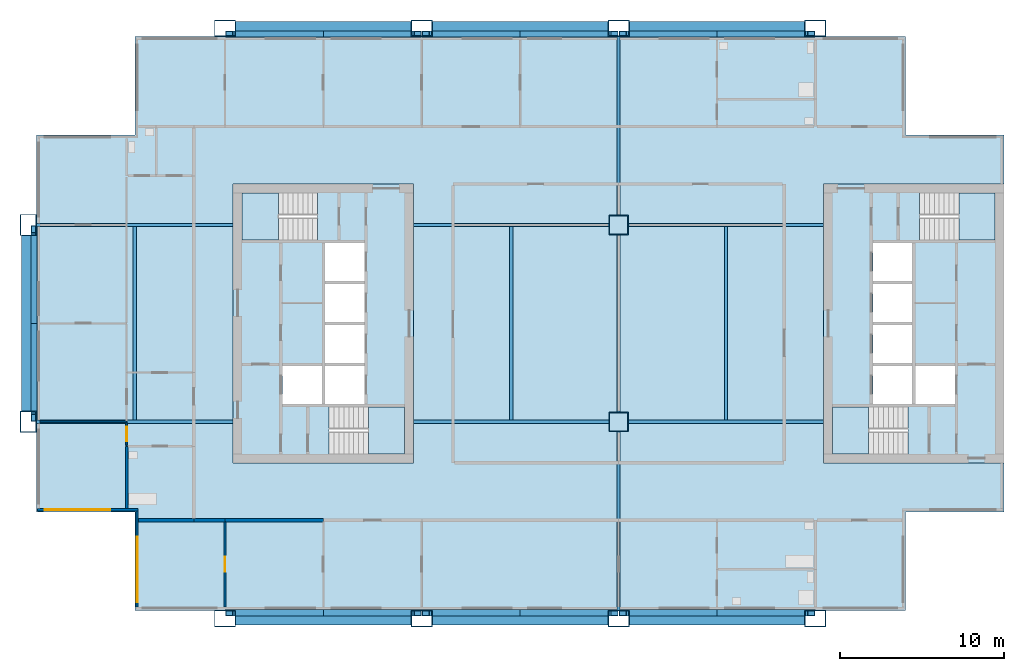
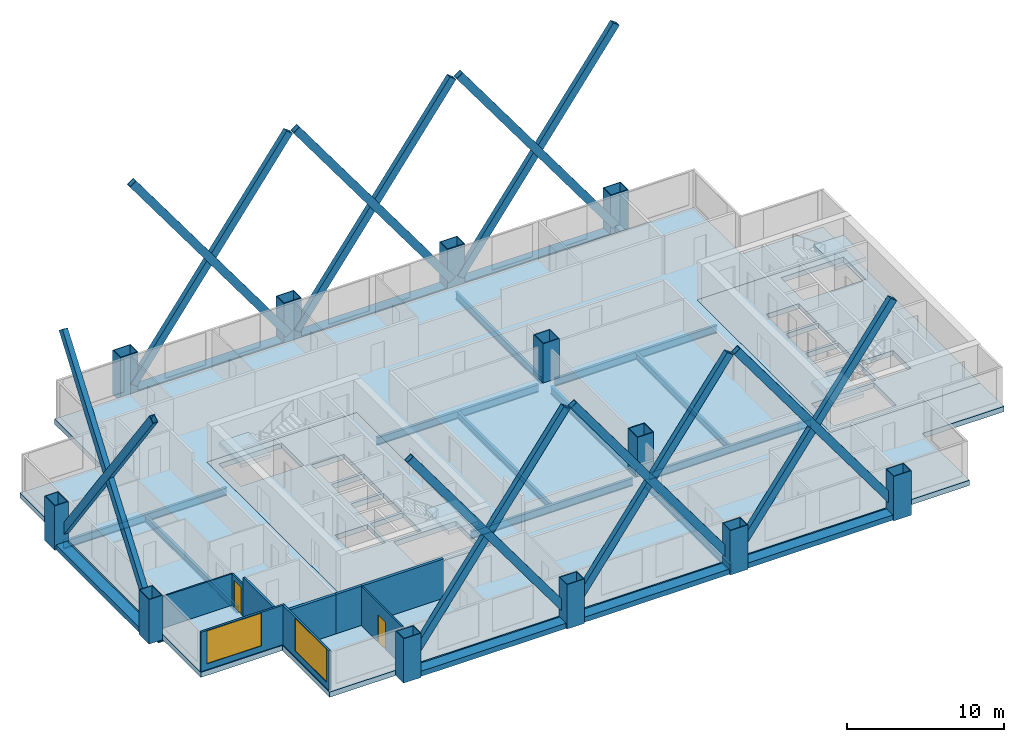
# One storey, part 1 of 8: 19 beams, 14 members, 12 columns, 9 walls, 7 slabs, 2 doors, 2 windows, 4 openings, 4 elements without a shape of their own.
"""IFC4 building model written with IfcOpenShell, lengths in metres."""

from ifc_helpers import new_model, si_unit, direction, frame, frame_2d, origin, origin_2d, place, context, subcontext, project, spatial, polyline, rectangle, hollow_rectangle, i_section, outline, extrude, material, layer, layer_set, material_profile, profile_set, type_object, element, fill, aggregate, save


model = new_model("IFC4")

# Units and contexts
model_context = context("Model", 3, precision=1e-05, world=origin(), true_north=direction((0.0, 1.0)))
body_context = subcontext(model_context, "Body", "Model", "MODEL_VIEW")
ifc_project = project(units=[si_unit("LENGTHUNIT", "METRE"), si_unit("AREAUNIT", "SQUARE_METRE"), si_unit("VOLUMEUNIT", "CUBIC_METRE"), si_unit("PLANEANGLEUNIT", "RADIAN"), si_unit("MASSUNIT", "GRAM", prefix="KILO")], contexts=[model_context])

# Site, building, storey
site_placement = place(None, origin())
site = spatial("IfcSite", under=ifc_project, at=site_placement, CompositionType="ELEMENT")
building_placement = place(site_placement, origin())
building = spatial("IfcBuilding", under=site, at=building_placement, Name="Kitamizu Gate Tower and Museum", CompositionType="ELEMENT")
storey_placement = place(building_placement, frame((0.0, 0.0, 175.5)))
storey = spatial("IfcBuildingStorey", under=building, at=storey_placement, Name="L46", CompositionType="ELEMENT", Elevation=175.5)

# Columns
ifc_material_1 = material(Name="Steel SM490A bronze coated", Category="steel")
ifc_material_profile_1 = material_profile(ifc_material_1, hollow_rectangle(XDim=1.300048828125, YDim=1.0, WallThickness=0.050048828125, at=origin_2d()), Name="BOX 1300x1000x50")
ifc_profile_set_1 = profile_set([ifc_material_profile_1], Name="Steel SM490A bronze coated")
column_type_1 = type_object("IfcColumnType", Name="Exoskeleton column XC6 BOX 1300x1000x50", PredefinedType="COLUMN", material=ifc_profile_set_1)
for number, where, z_axis, x_axis, name in (
    (1, (0.0, 24.0, -0.39990234375), (0.0, 0.0, 1.0), (0.0, 1.0, 0.0), "Column XC6 1C L46"),
    (2, (0.0, 36.0, -0.39990234375), (0.0, 0.0, 1.0), (0.0, 1.0, 0.0), "Column XC6 1D L46"),
    (3, (12.0, 12.0, -0.39990234375), (0.0, 0.0, 1.0), (1.0, 0.0, 0.0), "Column XC6 2B L46"),
    (4, (12.0, 48.0, -0.39990234375), (0.0, 0.0, 1.0), (1.0, 0.0, 0.0), "Column XC6 2E L46"),
    (5, (24.0, 12.0, -0.39990234375), (0.0, 0.0, 1.0), (1.0, 0.0, 0.0), "Column XC6 3B L46"),
    (6, (24.0, 48.0, -0.39990234375), (0.0, 0.0, 1.0), (1.0, 0.0, 0.0), "Column XC6 3E L46"),
    (7, (36.0, 12.0, -0.39990234375), (0.0, 0.0, 1.0), (1.0, 0.0, 0.0), "Column XC6 4B L46"),
    (8, (36.0, 48.0, -0.39990234375), (0.0, 0.0, 1.0), (1.0, 0.0, 0.0), "Column XC6 4E L46"),
    (9, (48.0, 12.0, -0.39990234375), (0.0, 0.0, 1.0), (1.0, 0.0, 0.0), "Column XC6 5B L46"),
    (10, (48.0, 48.0, -0.39990234375), (0.0, 0.0, 1.0), (1.0, 0.0, 0.0), "Column XC6 5E L46"),
):
    element("IfcColumn", number, at=place(storey_placement, frame(where, z_axis=z_axis, x_axis=x_axis)), inside=storey, type_object=column_type_1, Name=name, PredefinedType="COLUMN", context=body_context, shape_type="SweptSolid", body=[
        extrude(hollow_rectangle(XDim=1.300048828125, YDim=1.0, WallThickness=0.050048828125, at=origin_2d()), origin(), (0.0, 0.0, 1.0), 3.449951171875),
    ])
ifc_material_2 = material(Name="Steel SM490A", Category="steel")
ifc_material_profile_2 = material_profile(ifc_material_2, hollow_rectangle(XDim=1.199951171875, YDim=1.199951171875, WallThickness=0.050048828125, at=origin_2d()), Name="BOX 1200x1200x50")
ifc_profile_set_2 = profile_set([ifc_material_profile_2], Name="Steel SM490A")
column_type_2 = type_object("IfcColumnType", Name="Interior column IC4 BOX 1200x1200x50", PredefinedType="COLUMN", material=ifc_profile_set_2)
for number, where, z_axis, x_axis, name in (
    (11, (36.0, 24.0, 0.0), (0.0, 0.0, 1.0), (1.0, 0.0, 0.0), "Column IC4 4C L46"),
    (12, (36.0, 36.0, 0.0), (0.0, 0.0, 1.0), (1.0, 0.0, 0.0), "Column IC4 4D L46"),
):
    element("IfcColumn", number, at=place(storey_placement, frame(where, z_axis=z_axis, x_axis=x_axis)), inside=storey, type_object=column_type_2, Name=name, PredefinedType="COLUMN", context=body_context, shape_type="SweptSolid", body=[
        extrude(hollow_rectangle(XDim=1.199951171875, YDim=1.199951171875, WallThickness=0.050048828125, at=origin_2d()), origin(), (0.0, 0.0, 1.0), 3.050048828125),
    ])

# Members
ifc_material_3 = material(Name="Steel SM490A bronze coated", Category="steel")
ifc_material_profile_3 = material_profile(ifc_material_3, hollow_rectangle(XDim=0.3798828125, YDim=0.56005859375, WallThickness=0.030029296875, at=origin_2d()), Name="BOX 380x560x30")
ifc_profile_set_3 = profile_set([ifc_material_profile_3], Name="Steel SM490A bronze coated")
member_type = type_object("IfcMemberType", Name="Exoskeleton brace XB8 BOX 380x560x30", PredefinedType="BRACE", material=ifc_profile_set_3)
for number, where, z_axis, x_axis, name in (
    (13, (12.300048828125, 12.360107421875, 0.60009765625), (0.590469793655, 0.0, 0.807059739289), (0.0, 1.0, 0.0), "Exoskeleton brace XB8 south 12 L46"),
    (14, (23.699951171875, 12.360107421875, 0.60009765625), (-0.590469793655, 0.0, 0.807059739289), (0.0, -1.0, 0.0), "Exoskeleton brace XB8 south 12 L46"),
    (15, (24.300048828125, 12.360107421875, 0.60009765625), (0.590469793655, 0.0, 0.807059739289), (0.0, 1.0, 0.0), "Exoskeleton brace XB8 south 24 L46"),
    (16, (35.699951171875, 12.360107421875, 0.60009765625), (-0.590469793655, 0.0, 0.807059739289), (0.0, -1.0, 0.0), "Exoskeleton brace XB8 south 24 L46"),
    (17, (36.300048828125, 12.360107421875, 0.60009765625), (0.590469793655, 0.0, 0.807059739289), (0.0, 1.0, 0.0), "Exoskeleton brace XB8 south 36 L46"),
    (18, (47.699951171875, 12.360107421875, 0.60009765625), (-0.590469793655, 0.0, 0.807059739289), (0.0, -1.0, 0.0), "Exoskeleton brace XB8 south 36 L46"),
    (19, (12.300048828125, 47.639892578125, 0.60009765625), (0.590469793655, 0.0, 0.807059739289), (0.0, 1.0, 0.0), "Exoskeleton brace XB8 north 12 L46"),
    (20, (23.699951171875, 47.639892578125, 0.60009765625), (-0.590469793655, 0.0, 0.807059739289), (0.0, -1.0, 0.0), "Exoskeleton brace XB8 north 12 L46"),
    (21, (24.300048828125, 47.639892578125, 0.60009765625), (0.590469793655, 0.0, 0.807059739289), (0.0, 1.0, 0.0), "Exoskeleton brace XB8 north 24 L46"),
    (22, (35.699951171875, 47.639892578125, 0.60009765625), (-0.590469793655, 0.0, 0.807059739289), (0.0, -1.0, 0.0), "Exoskeleton brace XB8 north 24 L46"),
    (23, (36.300048828125, 47.639892578125, 0.60009765625), (0.590469793655, 0.0, 0.807059739289), (0.0, 1.0, 0.0), "Exoskeleton brace XB8 north 36 L46"),
    (24, (47.699951171875, 47.639892578125, 0.60009765625), (-0.590469793655, 0.0, 0.807059739289), (0.0, -1.0, 0.0), "Exoskeleton brace XB8 north 36 L46"),
    (25, (0.360107421875, 24.300048828125, 0.60009765625), (0.0, 0.590469793655, 0.807059739289), (-1.0, 0.0, 0.0), "Exoskeleton brace XB8 west 24 L46"),
    (26, (0.360107421875, 35.699951171875, 0.60009765625), (0.0, -0.590469793655, 0.807059739289), (1.0, 0.0, 0.0), "Exoskeleton brace XB8 west 24 L46"),
):
    element("IfcMember", number, at=place(storey_placement, frame(where, z_axis=z_axis, x_axis=x_axis)), inside=storey, type_object=member_type, Name=name, PredefinedType="BRACE", context=body_context, shape_type="SweptSolid", body=[
        extrude(hollow_rectangle(XDim=0.3798828125, YDim=0.56005859375, WallThickness=0.030029296875, at=origin_2d()), origin(), (0.0, 0.0, 1.0), 19.391357421875),
    ])

# Beams
ifc_material_4 = material(Name="Steel SM490A bronze coated", Category="steel")
ifc_material_profile_4 = material_profile(ifc_material_4, hollow_rectangle(XDim=0.800048828125, YDim=0.39990234375, WallThickness=0.0400390625, at=origin_2d()), Name="BOX 800x400x40")
ifc_profile_set_4 = profile_set([ifc_material_profile_4], Name="Steel SM490A bronze coated")
beam_type_1 = type_object("IfcBeamType", Name="Exoskeleton spandrel beam SB1 BOX 800x400x40", PredefinedType="SPANDREL", material=ifc_profile_set_4)
for number, where, z_axis, x_axis, name in (
    (27, (12.64990234375, 12.0, -0.199951171875), (1.0, 0.0, 0.0), (0.0, 1.0, 0.0), "Exoskeleton spandrel beam south 12 L46"),
    (28, (24.64990234375, 12.0, -0.199951171875), (1.0, 0.0, 0.0), (0.0, 1.0, 0.0), "Exoskeleton spandrel beam south 24 L46"),
    (29, (36.64990234375, 12.0, -0.199951171875), (1.0, 0.0, 0.0), (0.0, 1.0, 0.0), "Exoskeleton spandrel beam south 36 L46"),
    (30, (12.64990234375, 48.0, -0.199951171875), (1.0, 0.0, 0.0), (0.0, 1.0, 0.0), "Exoskeleton spandrel beam north 12 L46"),
    (31, (24.64990234375, 48.0, -0.199951171875), (1.0, 0.0, 0.0), (0.0, 1.0, 0.0), "Exoskeleton spandrel beam north 24 L46"),
    (32, (36.64990234375, 48.0, -0.199951171875), (1.0, 0.0, 0.0), (0.0, 1.0, 0.0), "Exoskeleton spandrel beam north 36 L46"),
    (33, (0.0, 24.64990234375, -0.199951171875), (0.0, 1.0, 0.0), (-1.0, 0.0, 0.0), "Exoskeleton spandrel beam west 24 L46"),
):
    element("IfcBeam", number, at=place(storey_placement, frame(where, z_axis=z_axis, x_axis=x_axis)), inside=storey, type_object=beam_type_1, Name=name, PredefinedType="SPANDREL", context=body_context, shape_type="SweptSolid", body=[
        extrude(hollow_rectangle(XDim=0.800048828125, YDim=0.39990234375, WallThickness=0.0400390625, at=origin_2d()), origin(), (0.0, 0.0, 1.0), 10.7001953125),
    ])
ifc_material_5 = material(Name="Steel SM490A", Category="steel")
ifc_material_profile_5 = material_profile(ifc_material_5, i_section(OverallWidth=0.199951171875, OverallDepth=0.5, WebThickness=0.010009765625, FlangeThickness=0.01611328125, FilletRadius=0.02001953125, at=origin_2d()), Name="H-500x200x10x16")
ifc_profile_set_5 = profile_set([ifc_material_profile_5], Name="Steel SM490A")
beam_type_2 = type_object("IfcBeamType", Name="Floor beam FB1 H 500x200x10x16", PredefinedType="BEAM", material=ifc_profile_set_5)
for number, where, z_axis, x_axis, name in (
    (34, (6.5, 24.10009765625, -0.64990234375), (0.0, 1.0, 0.0), (-1.0, 0.0, 0.0), "Floor beam FB1 L46-1"),
    (35, (29.449951171875, 24.10009765625, -0.64990234375), (0.0, 1.0, 0.0), (-1.0, 0.0, 0.0), "Floor beam FB1 L46-2"),
    (36, (42.550048828125, 24.10009765625, -0.64990234375), (0.0, 1.0, 0.0), (-1.0, 0.0, 0.0), "Floor beam FB1 L46-3"),
):
    element("IfcBeam", number, at=place(storey_placement, frame(where, z_axis=z_axis, x_axis=x_axis)), inside=storey, type_object=beam_type_2, Name=name, PredefinedType="BEAM", context=body_context, shape_type="SweptSolid", body=[
        extrude(i_section(OverallWidth=0.199951171875, OverallDepth=0.5, WebThickness=0.010009765625, FlangeThickness=0.01611328125, FilletRadius=0.02001953125, at=origin_2d()), origin(), (0.0, 0.0, 1.0), 11.7998046875),
    ])
ifc_material_6 = material(Name="Steel SM490A", Category="steel")
ifc_material_profile_6 = material_profile(ifc_material_6, i_section(OverallWidth=0.199951171875, OverallDepth=0.60009765625, WebThickness=0.010986328125, FlangeThickness=0.01708984375, FilletRadius=0.02197265625, at=origin_2d()), Name="H-600x200x11x17")
ifc_profile_set_6 = profile_set([ifc_material_profile_6], Name="Steel SM490A")
beam_type_3 = type_object("IfcBeamType", Name="Floor girder FG1 H 600x200x11x17", PredefinedType="BEAM", material=ifc_profile_set_6)
beam_1_placement = place(storey_placement, frame((36.0, 12.5, -0.699951171875), z_axis=(0.0, 1.0, 0.0), x_axis=(-1.0, 0.0, 0.0)))
element("IfcBeam", 37, at=beam_1_placement, inside=storey, type_object=beam_type_3, Name="Floor girder FG1 x36 L46", PredefinedType="BEAM", context=body_context, shape_type="SweptSolid", body=[
    extrude(i_section(OverallWidth=0.199951171875, OverallDepth=0.60009765625, WebThickness=0.010986328125, FlangeThickness=0.01708984375, FilletRadius=0.02197265625, at=origin_2d()), origin(), (0.0, 0.0, 1.0), 10.89990234375),
])
beam_2_placement = place(storey_placement, frame((36.0, 24.60009765625, -0.699951171875), z_axis=(0.0, 1.0, 0.0), x_axis=(-1.0, 0.0, 0.0)))
element("IfcBeam", 38, at=beam_2_placement, inside=storey, type_object=beam_type_3, Name="Floor girder FG1 x36 L46", PredefinedType="BEAM", context=body_context, shape_type="SweptSolid", body=[
    extrude(i_section(OverallWidth=0.199951171875, OverallDepth=0.60009765625, WebThickness=0.010986328125, FlangeThickness=0.01708984375, FilletRadius=0.02197265625, at=origin_2d()), origin(), (0.0, 0.0, 1.0), 10.7998046875),
])
beam_3_placement = place(storey_placement, frame((36.0, 36.60009765625, -0.699951171875), z_axis=(0.0, 1.0, 0.0), x_axis=(-1.0, 0.0, 0.0)))
element("IfcBeam", 39, at=beam_3_placement, inside=storey, type_object=beam_type_3, Name="Floor girder FG1 x36 L46", PredefinedType="BEAM", context=body_context, shape_type="SweptSolid", body=[
    extrude(i_section(OverallWidth=0.199951171875, OverallDepth=0.60009765625, WebThickness=0.010986328125, FlangeThickness=0.01708984375, FilletRadius=0.02197265625, at=origin_2d()), origin(), (0.0, 0.0, 1.0), 10.89990234375),
])
beam_4_placement = place(storey_placement, frame((0.5, 24.0, -0.699951171875), z_axis=(1.0, 0.0, 0.0), x_axis=(0.0, 1.0, 0.0)))
element("IfcBeam", 40, at=beam_4_placement, inside=storey, type_object=beam_type_3, Name="Floor girder FG1 y24 L46", PredefinedType="BEAM", context=body_context, shape_type="SweptSolid", body=[
    extrude(i_section(OverallWidth=0.199951171875, OverallDepth=0.60009765625, WebThickness=0.010986328125, FlangeThickness=0.01708984375, FilletRadius=0.02197265625, at=origin_2d()), origin(), (0.0, 0.0, 1.0), 12.0),
])
for number, where, z_axis, x_axis, name in (
    (41, (23.5, 24.0, -0.699951171875), (1.0, 0.0, 0.0), (0.0, 1.0, 0.0), "Floor girder FG1 y24 L46"),
    (42, (36.60009765625, 24.0, -0.699951171875), (1.0, 0.0, 0.0), (0.0, 1.0, 0.0), "Floor girder FG1 y24 L46"),
):
    element("IfcBeam", number, at=place(storey_placement, frame(where, z_axis=z_axis, x_axis=x_axis)), inside=storey, type_object=beam_type_3, Name=name, PredefinedType="BEAM", context=body_context, shape_type="SweptSolid", body=[
        extrude(i_section(OverallWidth=0.199951171875, OverallDepth=0.60009765625, WebThickness=0.010986328125, FlangeThickness=0.01708984375, FilletRadius=0.02197265625, at=origin_2d()), origin(), (0.0, 0.0, 1.0), 11.89990234375),
    ])
beam_5_placement = place(storey_placement, frame((0.5, 36.0, -0.699951171875), z_axis=(1.0, 0.0, 0.0), x_axis=(0.0, 1.0, 0.0)))
element("IfcBeam", 43, at=beam_5_placement, inside=storey, type_object=beam_type_3, Name="Floor girder FG1 y36 L46", PredefinedType="BEAM", context=body_context, shape_type="SweptSolid", body=[
    extrude(i_section(OverallWidth=0.199951171875, OverallDepth=0.60009765625, WebThickness=0.010986328125, FlangeThickness=0.01708984375, FilletRadius=0.02197265625, at=origin_2d()), origin(), (0.0, 0.0, 1.0), 12.0),
])
for number, where, z_axis, x_axis, name in (
    (44, (23.5, 36.0, -0.699951171875), (1.0, 0.0, 0.0), (0.0, 1.0, 0.0), "Floor girder FG1 y36 L46"),
    (45, (36.60009765625, 36.0, -0.699951171875), (1.0, 0.0, 0.0), (0.0, 1.0, 0.0), "Floor girder FG1 y36 L46"),
):
    element("IfcBeam", number, at=place(storey_placement, frame(where, z_axis=z_axis, x_axis=x_axis)), inside=storey, type_object=beam_type_3, Name=name, PredefinedType="BEAM", context=body_context, shape_type="SweptSolid", body=[
        extrude(i_section(OverallWidth=0.199951171875, OverallDepth=0.60009765625, WebThickness=0.010986328125, FlangeThickness=0.01708984375, FilletRadius=0.02197265625, at=origin_2d()), origin(), (0.0, 0.0, 1.0), 11.89990234375),
    ])

# Slabs
ifc_material_7 = material(Name="Concrete Fc36", Category="concrete")
ifc_layer_1 = layer(ifc_material_7, 0.39990234375)
ifc_layer_set_1 = layer_set([ifc_layer_1], Name="Concrete Fc36")
slab_type_1 = type_object("IfcSlabType", Name="Core floor slab 400", PredefinedType="FLOOR", material=ifc_layer_set_1)
slab_1_placement = place(storey_placement, frame((0.0, 0.0, -0.39990234375)))
element("IfcSlab", 46, at=slab_1_placement, inside=storey, type_object=slab_type_1, Name="Core floor slab W", PredefinedType="FLOOR", context=body_context, shape_type="SweptSolid", body=[
    extrude(outline(polyline([(12.5, 21.5), (23.5, 21.5), (23.5, 38.5), (12.5, 38.5), (12.5, 21.5)]), holes=[polyline([(15.5, 25.10009765625), (17.89990234375, 25.10009765625), (17.89990234375, 27.39990234375), (15.5, 27.39990234375), (15.5, 25.10009765625)]), polyline([(18.10009765625, 25.10009765625), (20.5, 25.10009765625), (20.5, 27.39990234375), (18.10009765625, 27.39990234375), (18.10009765625, 25.10009765625)]), polyline([(18.10009765625, 27.60009765625), (20.5, 27.60009765625), (20.5, 29.89990234375), (18.10009765625, 29.89990234375), (18.10009765625, 27.60009765625)]), polyline([(18.10009765625, 30.10009765625), (20.5, 30.10009765625), (20.5, 32.39990234375), (18.10009765625, 32.39990234375), (18.10009765625, 30.10009765625)]), polyline([(18.10009765625, 32.60009765625), (20.5, 32.60009765625), (20.5, 34.89990234375), (18.10009765625, 34.89990234375), (18.10009765625, 32.60009765625)]), polyline([(18.3505859375, 22.050048828125), (22.949951171875, 22.050048828125), (22.949951171875, 24.89990234375), (18.3505859375, 24.89990234375), (18.3505859375, 22.050048828125)]), polyline([(13.050048828125, 35.10009765625), (17.6494140625, 35.10009765625), (17.6494140625, 37.949951171875), (13.050048828125, 37.949951171875), (13.050048828125, 35.10009765625)])]), origin(), (0.0, 0.0, 1.0), 0.39990234375),
])
slab_2_placement = place(storey_placement, frame((0.0, 0.0, -0.39990234375)))
element("IfcSlab", 47, at=slab_2_placement, inside=storey, type_object=slab_type_1, Name="Core floor slab E", PredefinedType="FLOOR", context=body_context, shape_type="SweptSolid", body=[
    extrude(outline(polyline([(48.5, 21.5), (59.5, 21.5), (59.5, 38.5), (48.5, 38.5), (48.5, 21.5)]), holes=[polyline([(54.10009765625, 25.10009765625), (56.5, 25.10009765625), (56.5, 27.39990234375), (54.10009765625, 27.39990234375), (54.10009765625, 25.10009765625)]), polyline([(51.5, 25.10009765625), (53.89990234375, 25.10009765625), (53.89990234375, 27.39990234375), (51.5, 27.39990234375), (51.5, 25.10009765625)]), polyline([(51.5, 27.60009765625), (53.89990234375, 27.60009765625), (53.89990234375, 29.89990234375), (51.5, 29.89990234375), (51.5, 27.60009765625)]), polyline([(51.5, 30.10009765625), (53.89990234375, 30.10009765625), (53.89990234375, 32.39990234375), (51.5, 32.39990234375), (51.5, 30.10009765625)]), polyline([(51.5, 32.60009765625), (53.89990234375, 32.60009765625), (53.89990234375, 34.89990234375), (51.5, 34.89990234375), (51.5, 32.60009765625)]), polyline([(49.050048828125, 22.050048828125), (53.6494140625, 22.050048828125), (53.6494140625, 24.89990234375), (49.050048828125, 24.89990234375), (49.050048828125, 22.050048828125)]), polyline([(54.3505859375, 35.10009765625), (58.949951171875, 35.10009765625), (58.949951171875, 37.949951171875), (54.3505859375, 37.949951171875), (54.3505859375, 35.10009765625)])]), origin(), (0.0, 0.0, 1.0), 0.39990234375),
])
ifc_material_8 = material(Name="Concrete Fc36", Category="concrete")
ifc_layer_2 = layer(ifc_material_8, 0.39990234375)
ifc_layer_set_2 = layer_set([ifc_layer_2], Name="Concrete Fc36")
slab_type_2 = type_object("IfcSlabType", Name="Post tensioned flat slab 400", PredefinedType="FLOOR", material=ifc_layer_set_2)
slab_3_placement = place(storey_placement, frame((0.0, 0.0, -0.39990234375)))
element("IfcSlab", 48, at=slab_3_placement, inside=storey, type_object=slab_type_2, Name="Floor slab L46-1", PredefinedType="FLOOR", context=body_context, shape_type="SweptSolid", body=[
    extrude(outline(polyline([(0.5, 18.5), (0.5, 41.5), (6.5, 41.5), (6.5, 47.5), (53.5, 47.5), (53.5, 41.5), (59.5, 41.5), (59.5, 38.5), (48.5, 38.5), (48.5, 21.5), (59.5, 21.5), (59.5, 18.5), (53.5, 18.5), (53.5, 12.5), (6.5, 12.5), (6.5, 18.5), (0.5, 18.5)]), holes=[polyline([(12.5, 38.5), (12.5, 21.5), (23.5, 21.5), (23.5, 38.5), (12.5, 38.5)])]), origin(), (0.0, 0.0, 1.0), 0.39990234375),
])

# Stair, slab
ifc_material_9 = material(Name="Concrete Fc42", Category="concrete")
stair_type = type_object("IfcStairType", Name="Exit stair 1325 wide 192 rise 300 going", PredefinedType="HALF_TURN_STAIR", material=ifc_material_9)
stair_1_placement = place(storey_placement, origin())
stair_1 = element("IfcStair", 49, at=stair_1_placement, inside=storey, type_object=stair_type, Name="Exit stair ST1", PredefinedType="HALF_TURN_STAIR")
ifc_material_10 = material(Name="Concrete Fc42", Category="concrete")
ifc_layer_3 = layer(ifc_material_10, 0.300048828125)
ifc_layer_set_3 = layer_set([ifc_layer_3], Name="Concrete Fc42")
slab_type_3 = type_object("IfcSlabType", Name="Stair landing 300", PredefinedType="LANDING", material=ifc_layer_set_3)
slab_4_placement = place(storey_placement, frame((0.0, 0.0, 1.425048828125)))
slab_4 = element("IfcSlab", 50, at=slab_4_placement, type_object=slab_type_3, Name="ST1 landing 1", PredefinedType="LANDING", context=body_context, shape_type="SweptSolid", body=[
    extrude(outline(polyline([(20.75, 22.050048828125), (22.949951171875, 22.050048828125), (22.949951171875, 24.89990234375), (20.75, 24.89990234375), (20.75, 22.050048828125)])), origin(), (0.0, 0.0, 1.0), 0.300048828125),
])
aggregate(stair_1, [slab_4])

stair_2_placement = place(storey_placement, origin())
stair_2 = element("IfcStair", 51, at=stair_2_placement, inside=storey, type_object=stair_type, Name="Exit stair ST2", PredefinedType="HALF_TURN_STAIR")
slab_5_placement = place(storey_placement, frame((0.0, 0.0, 1.425048828125)))
slab_5 = element("IfcSlab", 52, at=slab_5_placement, type_object=slab_type_3, Name="ST2 landing 1", PredefinedType="LANDING", context=body_context, shape_type="SweptSolid", body=[
    extrude(outline(polyline([(13.050048828125, 35.10009765625), (15.25, 35.10009765625), (15.25, 37.949951171875), (13.050048828125, 37.949951171875), (13.050048828125, 35.10009765625)])), origin(), (0.0, 0.0, 1.0), 0.300048828125),
])
aggregate(stair_2, [slab_5])

stair_3_placement = place(storey_placement, origin())
stair_3 = element("IfcStair", 53, at=stair_3_placement, inside=storey, type_object=stair_type, Name="Exit stair ST3", PredefinedType="HALF_TURN_STAIR")
slab_6_placement = place(storey_placement, frame((0.0, 0.0, 1.425048828125)))
slab_6 = element("IfcSlab", 54, at=slab_6_placement, type_object=slab_type_3, Name="ST3 landing 1", PredefinedType="LANDING", context=body_context, shape_type="SweptSolid", body=[
    extrude(outline(polyline([(49.050048828125, 22.050048828125), (51.25, 22.050048828125), (51.25, 24.89990234375), (49.050048828125, 24.89990234375), (49.050048828125, 22.050048828125)])), origin(), (0.0, 0.0, 1.0), 0.300048828125),
])
aggregate(stair_3, [slab_6])

stair_4_placement = place(storey_placement, origin())
stair_4 = element("IfcStair", 55, at=stair_4_placement, inside=storey, type_object=stair_type, Name="Exit stair ST4", PredefinedType="HALF_TURN_STAIR")
slab_7_placement = place(storey_placement, frame((0.0, 0.0, 1.425048828125)))
slab_7 = element("IfcSlab", 56, at=slab_7_placement, type_object=slab_type_3, Name="ST4 landing 1", PredefinedType="LANDING", context=body_context, shape_type="SweptSolid", body=[
    extrude(outline(polyline([(56.75, 35.10009765625), (58.949951171875, 35.10009765625), (58.949951171875, 37.949951171875), (56.75, 37.949951171875), (56.75, 35.10009765625)])), origin(), (0.0, 0.0, 1.0), 0.300048828125),
])
aggregate(stair_4, [slab_7])

# Wall, opening, door
ifc_material_11 = material(Name="Gypsum board on galvanised stud")
ifc_layer_4 = layer(ifc_material_11, 0.10009765625)
ifc_layer_set_4 = layer_set([ifc_layer_4], Name="Gypsum board on galvanised stud")
wall_type_1 = type_object("IfcWallType", Name="Partition 100 NOT RATED", PredefinedType="PARTITIONING", material=ifc_layer_set_4)
wall_1_placement = place(storey_placement, frame((12.0, 12.719970703125, 0.0), z_axis=(0.0, 0.0, 1.0), x_axis=(0.0, 1.0, 0.0)))
wall_1 = element("IfcWall", 57, at=wall_1_placement, inside=storey, type_object=wall_type_1, Name="Partition L46-001", PredefinedType="PARTITIONING", context=body_context, shape_type="SweptSolid", body=[
    extrude(rectangle(XDim=5.179931640625, YDim=0.10009765625, at=frame_2d((2.58984375, 0.0))), origin(), (0.0, 0.0, 1.0), 3.050048828125),
])
opening_1_placement = place(wall_1_placement, frame((2.139892578125, 0.0, 0.0)))
opening_1 = element("IfcOpeningElement", 58, at=opening_1_placement, cuts=wall_1, Name="Opening L46-006", PredefinedType="OPENING", context=body_context, shape_type="SweptSolid", body=[
    extrude(rectangle(XDim=0.89990234375, YDim=2.10009765625, at=frame_2d((0.449951171875, 1.050048828125))), frame((0.0, 0.06005859375, 0.0), z_axis=(0.0, -1.0, 0.0), x_axis=(1.0, 0.0, 0.0)), (0.0, 0.0, 1.0), 0.1201171875),
])
ifc_material_12 = material(Name="Timber door set", Category="wood")
door_type = type_object("IfcDoorType", Name="Room door 900", OperationType="NOTDEFINED", PredefinedType="DOOR", material=ifc_material_12)
door_1_placement = place(opening_1_placement, origin())
door_1 = element("IfcDoor", 59, at=door_1_placement, inside=storey, type_object=door_type, Name="Door L46-006", OperationType="SINGLE_SWING_LEFT", OverallHeight=2.10009765625, OverallWidth=0.89990234375, PredefinedType="DOOR", context=body_context, shape_type="SweptSolid", body=[
    extrude(rectangle(XDim=0.89990234375, YDim=2.10009765625, at=frame_2d((0.449951171875, 1.050048828125))), frame((0.0, 0.02490234375, 0.0), z_axis=(0.0, -1.0, 0.0), x_axis=(1.0, 0.0, 0.0)), (0.0, 0.0, 1.0), 0.050048828125),
])
fill(opening_1, door_1)

# Wall
wall_2_placement = place(storey_placement, frame((6.0, 24.0, 0.0), z_axis=(0.0, 0.0, 1.0), x_axis=(-1.0, 0.0, 0.0)))
element("IfcWall", 60, at=wall_2_placement, inside=storey, type_object=wall_type_1, Name="Partition L46-037", PredefinedType="PARTITIONING", context=body_context, shape_type="SweptSolid", body=[
    extrude(rectangle(XDim=5.280029296875, YDim=0.10009765625, at=frame_2d((2.64013671875, 0.0))), origin(), (0.0, 0.0, 1.0), 2.449951171875),
])

# Wall, opening, door
wall_3_placement = place(storey_placement, frame((6.0, 22.574951171875, 0.0), z_axis=(0.0, 0.0, 1.0), x_axis=(0.0, 1.0, 0.0)))
wall_3 = element("IfcWall", 61, at=wall_3_placement, inside=storey, type_object=wall_type_1, Name="Partition L46-039", PredefinedType="PARTITIONING", context=body_context, shape_type="SweptSolid", body=[
    extrude(rectangle(XDim=1.375, YDim=0.10009765625, at=frame_2d((0.6875, 0.0))), origin(), (0.0, 0.0, 1.0), 2.449951171875),
])
opening_2_placement = place(wall_3_placement, frame((0.237548828125, 0.0, 0.0)))
opening_2 = element("IfcOpeningElement", 62, at=opening_2_placement, cuts=wall_3, Name="Opening L46-016", PredefinedType="OPENING", context=body_context, shape_type="SweptSolid", body=[
    extrude(rectangle(XDim=0.89990234375, YDim=2.10009765625, at=frame_2d((0.449951171875, 1.050048828125))), frame((0.0, 0.06005859375, 0.0), z_axis=(0.0, -1.0, 0.0), x_axis=(1.0, 0.0, 0.0)), (0.0, 0.0, 1.0), 0.1201171875),
])
door_2_placement = place(opening_2_placement, origin())
door_2 = element("IfcDoor", 63, at=door_2_placement, inside=storey, type_object=door_type, Name="Door L46-016", OperationType="SINGLE_SWING_LEFT", OverallHeight=2.10009765625, OverallWidth=0.89990234375, PredefinedType="DOOR", context=body_context, shape_type="SweptSolid", body=[
    extrude(rectangle(XDim=0.89990234375, YDim=2.10009765625, at=frame_2d((0.449951171875, 1.050048828125))), frame((0.0, 0.02490234375, 0.0), z_axis=(0.0, -1.0, 0.0), x_axis=(1.0, 0.0, 0.0)), (0.0, 0.0, 1.0), 0.050048828125),
])
fill(opening_2, door_2)

# Walls
ifc_material_13 = material(Name="Gypsum board on galvanised stud")
ifc_layer_5 = layer(ifc_material_13, 0.14990234375)
ifc_layer_set_5 = layer_set([ifc_layer_5], Name="Gypsum board on galvanised stud")
wall_type_2 = type_object("IfcWallType", Name="Partition 150", PredefinedType="PARTITIONING", material=ifc_layer_set_5)
wall_4_placement = place(storey_placement, frame((6.0, 18.719970703125, 0.0), z_axis=(0.0, 0.0, 1.0), x_axis=(0.0, 1.0, 0.0)))
element("IfcWall", 64, at=wall_4_placement, inside=storey, type_object=wall_type_2, Name="Partition L46-038", PredefinedType="PARTITIONING", context=body_context, shape_type="SweptSolid", body=[
    extrude(rectangle(XDim=3.780029296875, YDim=0.14990234375, at=frame_2d((1.89013671875, 0.0))), origin(), (0.0, 0.0, 1.0), 3.050048828125),
])
ifc_material_14 = material(Name="Gypsum board on galvanised stud")
ifc_layer_6 = layer(ifc_material_14, 0.199951171875)
ifc_layer_set_6 = layer_set([ifc_layer_6], Name="Gypsum board on galvanised stud")
wall_type_3 = type_object("IfcWallType", Name="Partition 200", PredefinedType="PARTITIONING", material=ifc_layer_set_6)
wall_5_placement = place(storey_placement, frame((10.10009765625, 18.0, 0.0), z_axis=(0.0, 0.0, 1.0), x_axis=(-1.0, 0.0, 0.0)))
element("IfcWall", 65, at=wall_5_placement, inside=storey, type_object=wall_type_3, Name="Partition L46-002", PredefinedType="PARTITIONING", context=body_context, shape_type="SweptSolid", body=[
    extrude(rectangle(XDim=3.380126953125, YDim=0.199951171875, at=frame_2d((1.68994140625, 0.0))), origin(), (0.0, 0.0, 1.0), 3.050048828125),
])
wall_6_placement = place(storey_placement, frame((12.0, 18.0, 0.0), z_axis=(0.0, 0.0, 1.0), x_axis=(-1.0, 0.0, 0.0)))
element("IfcWall", 66, at=wall_6_placement, inside=storey, type_object=wall_type_3, Name="Partition L46-003", PredefinedType="PARTITIONING", context=body_context, shape_type="SweptSolid", body=[
    extrude(rectangle(XDim=1.89990234375, YDim=0.199951171875, at=frame_2d((0.949951171875, 0.0))), origin(), (0.0, 0.0, 1.0), 3.050048828125),
])
wall_7_placement = place(storey_placement, frame((18.0, 18.0, 0.0), z_axis=(0.0, 0.0, 1.0), x_axis=(-1.0, 0.0, 0.0)))
element("IfcWall", 67, at=wall_7_placement, inside=storey, type_object=wall_type_3, Name="Partition L46-005", PredefinedType="PARTITIONING", context=body_context, shape_type="SweptSolid", body=[
    extrude(rectangle(XDim=6.0, YDim=0.199951171875, at=frame_2d((3.0, 0.0))), origin(), (0.0, 0.0, 1.0), 3.050048828125),
])

# Wall, opening, window
ifc_material_15 = material(Name="Bronze anodised aluminium frame with insulated spandrel and tinted glass", Category="aluminium")
ifc_layer_7 = layer(ifc_material_15, 0.14990234375)
ifc_layer_set_7 = layer_set([ifc_layer_7], Name="Bronze anodised aluminium frame with insulated spandrel and tinted glass")
wall_type_4 = type_object("IfcWallType", Name="WINDOW WALL 150 BRONZE FRAME EI 30", PredefinedType="ELEMENTEDWALL", material=ifc_layer_set_7)
wall_8_placement = place(storey_placement, frame((0.56005859375, 18.635009765625, 0.0), z_axis=(0.0, 0.0, 1.0), x_axis=(1.0, 0.0, 0.0)))
wall_8 = element("IfcWall", 68, at=wall_8_placement, inside=storey, type_object=wall_type_4, Name="Window wall south L46", PredefinedType="ELEMENTEDWALL", context=body_context, shape_type="SweptSolid", body=[
    extrude(rectangle(XDim=6.14990234375, YDim=0.14990234375, at=frame_2d((3.074951171875, 0.0))), origin(), (0.0, 0.0, 1.0), 3.050048828125),
])
opening_3_placement = place(wall_8_placement, frame((0.43994140625, 0.0, 0.449951171875)))
opening_3 = element("IfcOpeningElement", 69, at=opening_3_placement, cuts=wall_8, Name="Opening W16", PredefinedType="OPENING", context=body_context, shape_type="SweptSolid", body=[
    extrude(rectangle(XDim=4.0, YDim=2.550048828125, at=frame_2d((2.0, 1.27490234375))), frame((0.0, 0.0849609375, 0.0), z_axis=(0.0, -1.0, 0.0), x_axis=(1.0, 0.0, 0.0)), (0.0, 0.0, 1.0), 0.169921875),
])
ifc_material_16 = material(Name="Bronze anodised aluminium frame, tinted triple glazing", Category="aluminium")
window_type = type_object("IfcWindowType", Name="WINDOW 4000 x 2550 SILL 450", PartitioningType="SINGLE_PANEL", PredefinedType="WINDOW", material=ifc_material_16)
window_1_placement = place(opening_3_placement, origin())
window_1 = element("IfcWindow", 70, at=window_1_placement, inside=storey, type_object=window_type, Name="Window W16 L46", OverallHeight=2.550048828125, OverallWidth=4.0, PartitioningType="SINGLE_PANEL", PredefinedType="WINDOW", context=body_context, shape_type="SweptSolid", body=[
    extrude(rectangle(XDim=4.0, YDim=2.550048828125, at=frame_2d((2.0, 1.27490234375))), frame((0.0, 0.030029296875, 0.0), z_axis=(0.0, -1.0, 0.0), x_axis=(1.0, 0.0, 0.0)), (0.0, 0.0, 1.0), 0.06005859375),
])
fill(opening_3, window_1)

wall_9_placement = place(storey_placement, frame((6.635009765625, 12.7099609375, 0.0), z_axis=(0.0, 0.0, 1.0), x_axis=(0.0, 1.0, 0.0)))
wall_9 = element("IfcWall", 71, at=wall_9_placement, inside=storey, type_object=wall_type_4, Name="Window wall west L46", PredefinedType="ELEMENTEDWALL", context=body_context, shape_type="SweptSolid", body=[
    extrude(rectangle(XDim=5.85009765625, YDim=0.14990234375, at=frame_2d((2.925048828125, 0.0))), origin(), (0.0, 0.0, 1.0), 3.050048828125),
])
opening_4_placement = place(wall_9_placement, frame((0.2900390625, 0.0, 0.449951171875)))
opening_4 = element("IfcOpeningElement", 72, at=opening_4_placement, cuts=wall_9, Name="Opening W16", PredefinedType="OPENING", context=body_context, shape_type="SweptSolid", body=[
    extrude(rectangle(XDim=4.0, YDim=2.550048828125, at=frame_2d((2.0, 1.27490234375))), frame((0.0, 0.0849609375, 0.0), z_axis=(0.0, -1.0, 0.0), x_axis=(1.0, 0.0, 0.0)), (0.0, 0.0, 1.0), 0.169921875),
])
window_2_placement = place(opening_4_placement, origin())
window_2 = element("IfcWindow", 73, at=window_2_placement, inside=storey, type_object=window_type, Name="Window W16 L46", OverallHeight=2.550048828125, OverallWidth=4.0, PartitioningType="SINGLE_PANEL", PredefinedType="WINDOW", context=body_context, shape_type="SweptSolid", body=[
    extrude(rectangle(XDim=4.0, YDim=2.550048828125, at=frame_2d((2.0, 1.27490234375))), frame((0.0, 0.030029296875, 0.0), z_axis=(0.0, -1.0, 0.0), x_axis=(1.0, 0.0, 0.0)), (0.0, 0.0, 1.0), 0.06005859375),
])
fill(opening_4, window_2)

save(model, "model.ifc")
